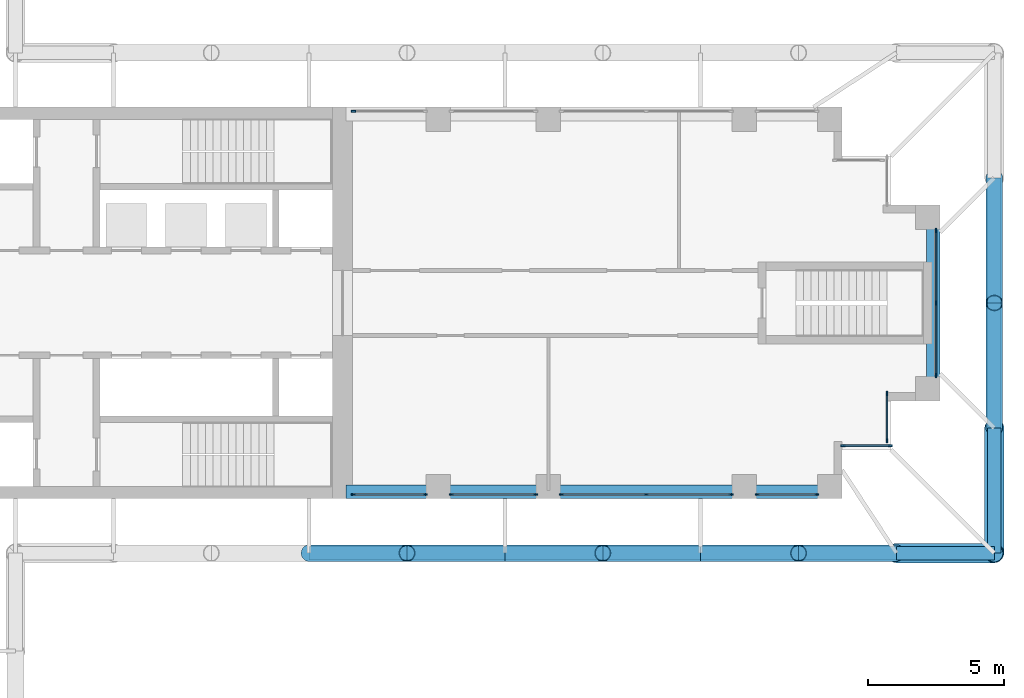
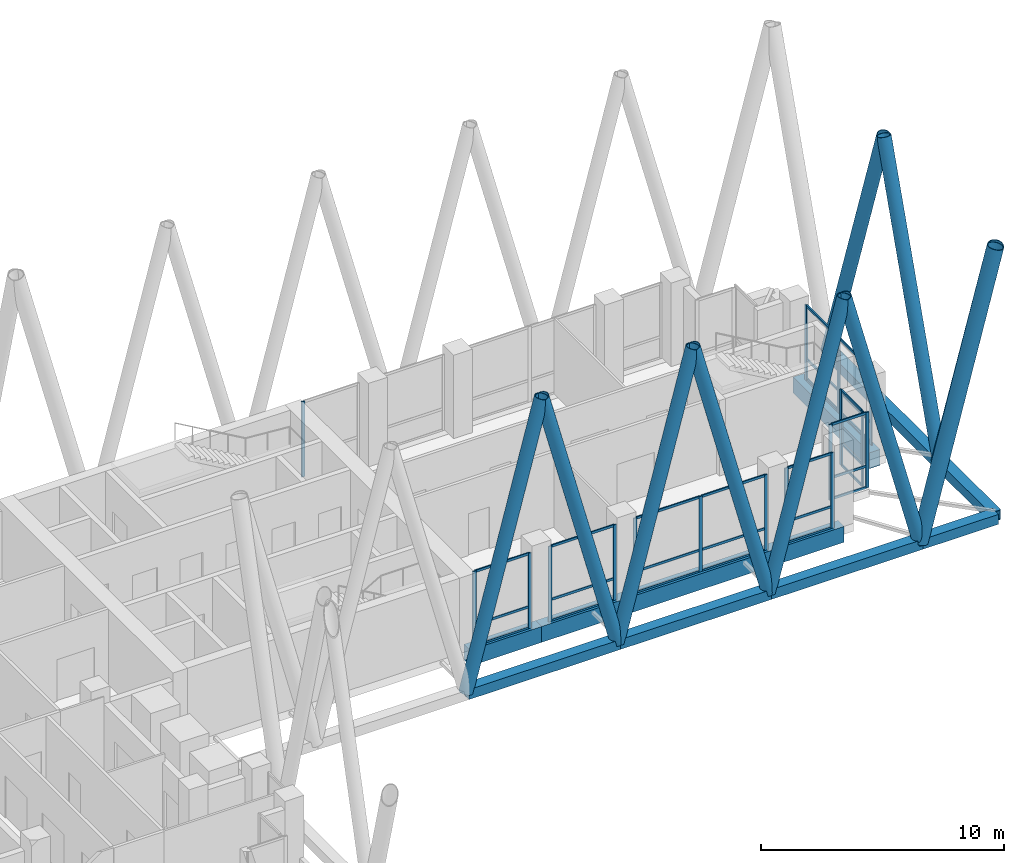
# One storey, part 8 of 22: 60 members, 5 beams, 8 elements without a shape of their own.
"""IFC4 building model written with IfcOpenShell, lengths in metres."""

import ifcopenshell
import ifcopenshell.guid

model = None  # the IFC model being written
_history = None  # IfcOwnerHistory: only IFC2X3 demands one
_inside = {}  # id of a spatial element -> (the spatial element, [elements in it])
_under = {}  # id of a project, library or spatial element -> (it, [spatial elements below it])
_declared = {}  # id of a project -> (the project, [libraries it declares])
_typed = {}  # id of a type object -> (the type object, [elements of that type])
_made_of = {}  # id of a material, layer set ... -> (it, [elements and type objects made of it])


def new_model(schema):
    """Start an empty IFC model of exactly this schema.

    Asked for "IFC4X3", IfcOpenShell would pick the latest addendum, in which some entities
    have other attributes; the version numbers below select the first issue.
    IFC2X3 requires an IfcOwnerHistory on every rooted entity: one is made here for all.
    """
    global model, _history
    if schema == "IFC4X3":
        model = ifcopenshell.file(schema_version=(4, 3, 0, 0))
    else:
        model = ifcopenshell.file(schema=schema)
    _inside.clear()
    _under.clear()
    _declared.clear()
    _typed.clear()
    _made_of.clear()
    _history = None
    if model.schema == "IFC2X3":
        org = make("IfcOrganization", Name="unknown")
        user = make(
            "IfcPersonAndOrganization",
            ThePerson=make("IfcPerson", FamilyName="unknown"),
            TheOrganization=org,
        )
        app = make(
            "IfcApplication",
            ApplicationDeveloper=org,
            Version="unknown",
            ApplicationFullName="unknown",
            ApplicationIdentifier="unknown",
        )
        _history = make(
            "IfcOwnerHistory",
            OwningUser=user,
            OwningApplication=app,
            ChangeAction="ADDED",
            CreationDate=0,
        )
    return model


def make(cls, **values):
    """One entity of the class cls with the attributes given. An attribute that is None is left unset."""
    return model.create_entity(
        cls, **{name: value for name, value in values.items() if value is not None}
    )


def rooted(cls, **values):
    """An entity with a GlobalId (a new one), such as an element, a storey or a relation."""
    return make(cls, GlobalId=ifcopenshell.guid.new(), OwnerHistory=_history, **values)


def si_unit(unit_type, name, prefix=None):
    """IfcSIUnit, for example si_unit("LENGTHUNIT", "METRE", prefix="MILLI")."""
    return make("IfcSIUnit", UnitType=unit_type, Prefix=prefix, Name=name)


def assignment(units):
    """IfcUnitAssignment: the units of a project."""
    return None if units is None else make("IfcUnitAssignment", Units=units)


def point(xyz):
    """IfcCartesianPoint."""
    return None if xyz is None else make("IfcCartesianPoint", Coordinates=xyz)


def direction(xyz):
    """IfcDirection."""
    return None if xyz is None else make("IfcDirection", DirectionRatios=xyz)


def frame(location, z_axis=None, x_axis=None):
    """IfcAxis2Placement3D, a coordinate frame: its origin and axes. An axis left out is left unset."""
    return make(
        "IfcAxis2Placement3D",
        Location=point(location),
        Axis=direction(z_axis),
        RefDirection=direction(x_axis),
    )


def frame_2d(location, x_axis=None):
    """IfcAxis2Placement2D, a coordinate frame in the plane: its origin and x axis."""
    return make(
        "IfcAxis2Placement2D", Location=point(location), RefDirection=direction(x_axis)
    )


def origin():
    """The frame at (0, 0, 0) with its axes left unset."""
    return frame((0.0, 0.0, 0.0))


def origin_2d():
    """The frame at (0, 0) in the plane with its x axis left unset."""
    return frame_2d((0.0, 0.0))


def place(relative_to, where):
    """IfcLocalPlacement: puts the frame where relative to a parent placement (None: the world)."""
    return make(
        "IfcLocalPlacement", PlacementRelTo=relative_to, RelativePlacement=where
    )


def context(
    kind, dimensions, precision=None, world=None, true_north=None, identifier=None
):
    """IfcGeometricRepresentationContext, for example the 3D "Model" context."""
    return make(
        "IfcGeometricRepresentationContext",
        ContextIdentifier=identifier,
        ContextType=kind,
        CoordinateSpaceDimension=dimensions,
        Precision=precision,
        WorldCoordinateSystem=world,
        TrueNorth=true_north,
    )


def subcontext(parent, identifier, kind, view, scale=None):
    """IfcGeometricRepresentationSubContext, for example "Body" below "Model"."""
    return make(
        "IfcGeometricRepresentationSubContext",
        ContextIdentifier=identifier,
        ContextType=kind,
        ParentContext=parent,
        TargetScale=scale,
        TargetView=view,
    )


def project(units=None, contexts=None):
    """IfcProject with its units and contexts."""
    return rooted(
        "IfcProject",
        Name="project",
        RepresentationContexts=contexts,
        UnitsInContext=assignment(units),
    )


def spatial(cls, under=None, at=None, **own):
    """A site, building, storey or space (cls), placed at a placement, below another one or the project."""
    s = rooted(cls, ObjectPlacement=at, **own)
    if under is not None:
        _under.setdefault(under.id(), (under, []))[1].append(s)
    return s


def profile(cls, at=None, kind="AREA", **sizes):
    """A parametric profile (cls). Its sizes go by their IFC names, for example OverallWidth=200.0."""
    return make(cls, ProfileType=kind, Position=at, **sizes)


def rectangle(**sizes):
    """IfcRectangleProfileDef."""
    return profile("IfcRectangleProfileDef", **sizes)


def hollow_rectangle(**sizes):
    """IfcRectangleHollowProfileDef."""
    return profile("IfcRectangleHollowProfileDef", **sizes)


def hollow_circle(**sizes):
    """IfcCircleHollowProfileDef."""
    return profile("IfcCircleHollowProfileDef", **sizes)


def extrude(swept, where, along, depth):
    """IfcExtrudedAreaSolid: the profile swept, set in the frame where, extruded along a direction by depth."""
    return make(
        "IfcExtrudedAreaSolid",
        SweptArea=swept,
        Position=where,
        ExtrudedDirection=direction(along),
        Depth=depth,
    )


def shape(context_of_items, identifier, shape_type, items):
    """IfcShapeRepresentation: the items that make up one representation, for example the "Body"."""
    return make(
        "IfcShapeRepresentation",
        ContextOfItems=context_of_items,
        RepresentationIdentifier=identifier,
        RepresentationType=shape_type,
        Items=items,
    )


def material(Name=None, Category=None):
    """IfcMaterial."""
    return make("IfcMaterial", Name=Name, Category=Category)


def material_profile(
    of_material, cross_section, Name=None, Category=None, Priority=None
):
    """IfcMaterialProfile: a cross section and its material."""
    return make(
        "IfcMaterialProfile",
        Name=Name,
        Material=of_material,
        Profile=cross_section,
        Priority=Priority,
        Category=Category,
    )


def profile_set(profiles, Name=None, composite=None):
    """IfcMaterialProfileSet."""
    return make(
        "IfcMaterialProfileSet",
        Name=Name,
        MaterialProfiles=profiles,
        CompositeProfile=composite,
    )


def made_of(thing, what):
    """Note that an element or type object is made of a material, layer set ...; save() writes the relation."""
    if what is not None:
        _made_of.setdefault(what.id(), (what, []))[1].append(thing)
    return thing


def type_object(cls, material=None, **own):
    """A type object (cls), such as IfcWallType, which elements share."""
    return made_of(rooted(cls, **own), material)


def element(
    cls,
    number,
    at=None,
    inside=None,
    cuts=None,
    type_object=None,
    material=None,
    context=None,
    identifier="Body",
    shape_type=None,
    held_by="IfcProductDefinitionShape",
    body=None,
    shapes=None,
    **own,
):
    """One element of the class cls, such as IfcWall. Its Tag is "e" and its number.

    at: its placement. inside: the storey or other place that contains it. cuts: it is an
    opening in that element (IfcRelVoidsElement). A single representation is given by context,
    identifier, shape_type and body (its items); several are given by shapes. held_by: the class
    of the entity that holds the representations. save() writes the other relations.
    """
    e = rooted(cls, Tag="e%d" % number, ObjectPlacement=at, **own)
    if body is not None:
        shapes = [shape(context, identifier, shape_type, body)]
    if shapes is not None:
        e.Representation = make(held_by, Representations=shapes)
    if inside is not None:
        _inside.setdefault(inside.id(), (inside, []))[1].append(e)
    if cuts is not None:
        rooted(
            "IfcRelVoidsElement", RelatingBuildingElement=cuts, RelatedOpeningElement=e
        )
    if type_object is not None:
        _typed.setdefault(type_object.id(), (type_object, []))[1].append(e)
    return made_of(e, material)


def aggregate(whole, parts):
    """IfcRelAggregates: a whole, such as a stair, and the parts it consists of."""
    return rooted("IfcRelAggregates", RelatingObject=whole, RelatedObjects=parts)


def save(model, path):
    """Write the relations noted so far, then the file.

    IfcRelAggregates (storeys below a building ...), IfcRelContainedInSpatialStructure (elements
    in a storey), IfcRelDefinesByType, IfcRelAssociatesMaterial and IfcRelDeclares: one each for
    every whole, place, type object, material and project.
    """
    for whole, parts in _under.values():
        aggregate(whole, parts)
    for where, things in _inside.values():
        rooted(
            "IfcRelContainedInSpatialStructure",
            RelatedElements=things,
            RelatingStructure=where,
        )
    for kind, things in _typed.values():
        rooted("IfcRelDefinesByType", RelatedObjects=things, RelatingType=kind)
    for what, things in _made_of.values():
        rooted("IfcRelAssociatesMaterial", RelatedObjects=things, RelatingMaterial=what)
    for by, libraries in _declared.values():
        rooted("IfcRelDeclares", RelatingContext=by, RelatedDefinitions=libraries)
    model.write(path)


model = new_model("IFC4")

# Units and contexts
model_context = context("Model", 3, precision=1e-05, world=origin(), true_north=direction((0.0, 1.0)))
body_context = subcontext(model_context, "Body", "Model", "MODEL_VIEW")
ifc_project = project(units=[si_unit("LENGTHUNIT", "METRE"), si_unit("AREAUNIT", "SQUARE_METRE"), si_unit("VOLUMEUNIT", "CUBIC_METRE"), si_unit("PLANEANGLEUNIT", "RADIAN"), si_unit("MASSUNIT", "GRAM", prefix="KILO")], contexts=[model_context])

# Site, building, storey
site_placement = place(None, origin())
site = spatial("IfcSite", under=ifc_project, at=site_placement, CompositionType="ELEMENT")
building_placement = place(site_placement, origin())
building = spatial("IfcBuilding", under=site, at=building_placement, Name="Fustian Cross Tower", CompositionType="ELEMENT")
storey_placement = place(building_placement, frame((0.0, 0.0, 116.10009765625)))
storey = spatial("IfcBuildingStorey", under=building, at=storey_placement, Name="L36", CompositionType="ELEMENT", Elevation=116.10009765625)

# Curtain wall, members
ifc_material_1 = material(Name="Dark anodised aluminium and double glazing", Category="aluminium")
curtain_wall_type = type_object("IfcCurtainWallType", Name="CW1 LOUNGE CURTAIN WALL", PredefinedType="NOTDEFINED", material=ifc_material_1)
curtain_wall_1_placement = place(storey_placement, origin())
curtain_wall_1 = element("IfcCurtainWall", 1, at=curtain_wall_1_placement, inside=storey, type_object=curtain_wall_type, Name="Curtain wall", PredefinedType="NOTDEFINED")
ifc_material_2 = material(Name="Aluminium alloy 6063", Category="aluminium")
ifc_material_profile_1 = material_profile(ifc_material_2, rectangle(XDim=0.06005859375, YDim=0.159912109375, at=origin_2d()), Name="CW1 MULLION 60X160")
ifc_profile_set_1 = profile_set([ifc_material_profile_1], Name="Aluminium alloy 6063")
member_type_1 = type_object("IfcMemberType", Name="CW1 MULLION 60X160", PredefinedType="MULLION", material=ifc_profile_set_1)
member_1_placement = place(storey_placement, frame((21.6298828125, -7.050048828125, 0.0), z_axis=(0.0, 0.0, 1.0), x_axis=(0.0, 1.0, 0.0)))
member_1 = element("IfcMember", 2, at=member_1_placement, type_object=member_type_1, Name="CW1 mullion 1", PredefinedType="MULLION", context=body_context, shape_type="SweptSolid", body=[
    extrude(rectangle(XDim=0.06005859375, YDim=0.159912109375, at=origin_2d()), origin(), (0.0, 0.0, 1.0), 3.7998046875),
])
member_2_placement = place(storey_placement, frame((24.27001953125, -7.050048828125, 0.0), z_axis=(0.0, 0.0, 1.0), x_axis=(0.0, 1.0, 0.0)))
member_2 = element("IfcMember", 3, at=member_2_placement, type_object=member_type_1, Name="CW1 mullion 2", PredefinedType="MULLION", context=body_context, shape_type="SweptSolid", body=[
    extrude(rectangle(XDim=0.06005859375, YDim=0.159912109375, at=origin_2d()), origin(), (0.0, 0.0, 1.0), 3.7998046875),
])

curtain_wall_2_placement = place(storey_placement, origin())
curtain_wall_2 = element("IfcCurtainWall", 4, at=curtain_wall_2_placement, inside=storey, type_object=curtain_wall_type, Name="Curtain wall", PredefinedType="NOTDEFINED")
member_3_placement = place(storey_placement, frame((25.22998046875, -7.050048828125, 0.0), z_axis=(0.0, 0.0, 1.0), x_axis=(0.0, 1.0, 0.0)))
member_3 = element("IfcMember", 5, at=member_3_placement, type_object=member_type_1, Name="CW1 mullion 1", PredefinedType="MULLION", context=body_context, shape_type="SweptSolid", body=[
    extrude(rectangle(XDim=0.06005859375, YDim=0.159912109375, at=origin_2d()), origin(), (0.0, 0.0, 1.0), 3.7998046875),
])
member_4_placement = place(storey_placement, frame((28.320068359375, -7.050048828125, 0.0), z_axis=(0.0, 0.0, 1.0), x_axis=(0.0, 1.0, 0.0)))
member_4 = element("IfcMember", 6, at=member_4_placement, type_object=member_type_1, Name="CW1 mullion 2", PredefinedType="MULLION", context=body_context, shape_type="SweptSolid", body=[
    extrude(rectangle(XDim=0.06005859375, YDim=0.159912109375, at=origin_2d()), origin(), (0.0, 0.0, 1.0), 3.7998046875),
])

curtain_wall_3_placement = place(storey_placement, origin())
curtain_wall_3 = element("IfcCurtainWall", 7, at=curtain_wall_3_placement, inside=storey, type_object=curtain_wall_type, Name="Curtain wall", PredefinedType="NOTDEFINED")
member_5_placement = place(storey_placement, frame((29.280029296875, -7.050048828125, 0.0), z_axis=(0.0, 0.0, 1.0), x_axis=(0.0, 1.0, 0.0)))
member_5 = element("IfcMember", 8, at=member_5_placement, type_object=member_type_1, Name="CW1 mullion 1", PredefinedType="MULLION", context=body_context, shape_type="SweptSolid", body=[
    extrude(rectangle(XDim=0.06005859375, YDim=0.159912109375, at=origin_2d()), origin(), (0.0, 0.0, 1.0), 3.7998046875),
])
member_6_placement = place(storey_placement, frame((32.39990234375, -7.050048828125, 0.0), z_axis=(0.0, 0.0, 1.0), x_axis=(0.0, 1.0, 0.0)))
member_6 = element("IfcMember", 9, at=member_6_placement, type_object=member_type_1, Name="CW1 mullion 2", PredefinedType="MULLION", context=body_context, shape_type="SweptSolid", body=[
    extrude(rectangle(XDim=0.06005859375, YDim=0.159912109375, at=origin_2d()), origin(), (0.0, 0.0, 1.0), 3.7998046875),
])
member_7_placement = place(storey_placement, frame((35.52001953125, -7.050048828125, 0.0), z_axis=(0.0, 0.0, 1.0), x_axis=(0.0, 1.0, 0.0)))
member_7 = element("IfcMember", 10, at=member_7_placement, type_object=member_type_1, Name="CW1 mullion 3", PredefinedType="MULLION", context=body_context, shape_type="SweptSolid", body=[
    extrude(rectangle(XDim=0.06005859375, YDim=0.159912109375, at=origin_2d()), origin(), (0.0, 0.0, 1.0), 3.7998046875),
])

curtain_wall_4_placement = place(storey_placement, origin())
curtain_wall_4 = element("IfcCurtainWall", 11, at=curtain_wall_4_placement, inside=storey, type_object=curtain_wall_type, Name="Curtain wall", PredefinedType="NOTDEFINED")
member_8_placement = place(storey_placement, frame((36.47998046875, -7.050048828125, 0.0), z_axis=(0.0, 0.0, 1.0), x_axis=(0.0, 1.0, 0.0)))
member_8 = element("IfcMember", 12, at=member_8_placement, type_object=member_type_1, Name="CW1 mullion 1", PredefinedType="MULLION", context=body_context, shape_type="SweptSolid", body=[
    extrude(rectangle(XDim=0.06005859375, YDim=0.159912109375, at=origin_2d()), origin(), (0.0, 0.0, 1.0), 3.7998046875),
])
member_9_placement = place(storey_placement, frame((38.669921875, -7.050048828125, 0.0), z_axis=(0.0, 0.0, 1.0), x_axis=(0.0, 1.0, 0.0)))
member_9 = element("IfcMember", 13, at=member_9_placement, type_object=member_type_1, Name="CW1 mullion 2", PredefinedType="MULLION", context=body_context, shape_type="SweptSolid", body=[
    extrude(rectangle(XDim=0.06005859375, YDim=0.159912109375, at=origin_2d()), origin(), (0.0, 0.0, 1.0), 3.7998046875),
])

curtain_wall_5_placement = place(storey_placement, origin())
curtain_wall_5 = element("IfcCurtainWall", 14, at=curtain_wall_5_placement, inside=storey, type_object=curtain_wall_type, Name="Curtain wall", PredefinedType="NOTDEFINED")
member_10_placement = place(storey_placement, frame((39.6298828125, -5.25, 0.0), z_axis=(0.0, 0.0, 1.0), x_axis=(0.0, 1.0, 0.0)))
member_10 = element("IfcMember", 15, at=member_10_placement, type_object=member_type_1, Name="CW1 mullion 1", PredefinedType="MULLION", context=body_context, shape_type="SweptSolid", body=[
    extrude(rectangle(XDim=0.06005859375, YDim=0.159912109375, at=origin_2d()), origin(), (0.0, 0.0, 1.0), 3.7998046875),
])
member_11_placement = place(storey_placement, frame((41.3701171875, -5.25, 0.0), z_axis=(0.0, 0.0, 1.0), x_axis=(0.0, 1.0, 0.0)))
member_11 = element("IfcMember", 16, at=member_11_placement, type_object=member_type_1, Name="CW1 mullion 2", PredefinedType="MULLION", context=body_context, shape_type="SweptSolid", body=[
    extrude(rectangle(XDim=0.06005859375, YDim=0.159912109375, at=origin_2d()), origin(), (0.0, 0.0, 1.0), 3.7998046875),
])

curtain_wall_6_placement = place(storey_placement, origin())
curtain_wall_6 = element("IfcCurtainWall", 17, at=curtain_wall_6_placement, inside=storey, type_object=curtain_wall_type, Name="Curtain wall", PredefinedType="NOTDEFINED")
member_12_placement = place(storey_placement, frame((41.25, -5.070068359375, 0.0), z_axis=(0.0, 0.0, 1.0), x_axis=(-1.0, 0.0, 0.0)))
member_12 = element("IfcMember", 18, at=member_12_placement, type_object=member_type_1, Name="CW1 mullion 1", PredefinedType="MULLION", context=body_context, shape_type="SweptSolid", body=[
    extrude(rectangle(XDim=0.06005859375, YDim=0.159912109375, at=origin_2d()), origin(), (0.0, 0.0, 1.0), 3.7998046875),
])
member_13_placement = place(storey_placement, frame((41.25, -3.330078125, 0.0), z_axis=(0.0, 0.0, 1.0), x_axis=(-1.0, 0.0, 0.0)))
member_13 = element("IfcMember", 19, at=member_13_placement, type_object=member_type_1, Name="CW1 mullion 2", PredefinedType="MULLION", context=body_context, shape_type="SweptSolid", body=[
    extrude(rectangle(XDim=0.06005859375, YDim=0.159912109375, at=origin_2d()), origin(), (0.0, 0.0, 1.0), 3.7998046875),
])

curtain_wall_7_placement = place(storey_placement, origin())
curtain_wall_7 = element("IfcCurtainWall", 20, at=curtain_wall_7_placement, inside=storey, type_object=curtain_wall_type, Name="Curtain wall", PredefinedType="NOTDEFINED")
member_14_placement = place(storey_placement, frame((43.050048828125, -2.669921875, 0.0), z_axis=(0.0, 0.0, 1.0), x_axis=(-1.0, 0.0, 0.0)))
member_14 = element("IfcMember", 21, at=member_14_placement, type_object=member_type_1, Name="CW1 mullion 1", PredefinedType="MULLION", context=body_context, shape_type="SweptSolid", body=[
    extrude(rectangle(XDim=0.06005859375, YDim=0.159912109375, at=origin_2d()), origin(), (0.0, 0.0, 1.0), 3.7998046875),
])
member_15_placement = place(storey_placement, frame((43.050048828125, 0.0, 0.0), z_axis=(0.0, 0.0, 1.0), x_axis=(-1.0, 0.0, 0.0)))
member_15 = element("IfcMember", 22, at=member_15_placement, type_object=member_type_1, Name="CW1 mullion 2", PredefinedType="MULLION", context=body_context, shape_type="SweptSolid", body=[
    extrude(rectangle(XDim=0.06005859375, YDim=0.159912109375, at=origin_2d()), origin(), (0.0, 0.0, 1.0), 3.7998046875),
])
member_16_placement = place(storey_placement, frame((43.050048828125, 2.669921875, 0.0), z_axis=(0.0, 0.0, 1.0), x_axis=(-1.0, 0.0, 0.0)))
member_16 = element("IfcMember", 23, at=member_16_placement, type_object=member_type_1, Name="CW1 mullion 3", PredefinedType="MULLION", context=body_context, shape_type="SweptSolid", body=[
    extrude(rectangle(XDim=0.06005859375, YDim=0.159912109375, at=origin_2d()), origin(), (0.0, 0.0, 1.0), 3.7998046875),
])

# Curtain wall, member
curtain_wall_8_placement = place(storey_placement, origin())
curtain_wall_8 = element("IfcCurtainWall", 24, at=curtain_wall_8_placement, inside=storey, type_object=curtain_wall_type, Name="Curtain wall", PredefinedType="NOTDEFINED")
member_17_placement = place(storey_placement, frame((21.6298828125, 7.050048828125, 0.0), z_axis=(0.0, 0.0, 1.0), x_axis=(0.0, -1.0, 0.0)))
member_17 = element("IfcMember", 25, at=member_17_placement, type_object=member_type_1, Name="CW1 mullion 2", PredefinedType="MULLION", context=body_context, shape_type="SweptSolid", body=[
    extrude(rectangle(XDim=0.06005859375, YDim=0.159912109375, at=origin_2d()), origin(), (0.0, 0.0, 1.0), 3.7998046875),
])
aggregate(curtain_wall_8, [member_17])

# Member
ifc_material_3 = material(Name="Aluminium alloy 6063", Category="aluminium")
ifc_material_profile_2 = material_profile(ifc_material_3, rectangle(XDim=0.06005859375, YDim=0.1201171875, at=origin_2d()), Name="CW1 TRANSOM 60X120")
ifc_profile_set_2 = profile_set([ifc_material_profile_2], Name="Aluminium alloy 6063")
member_type_2 = type_object("IfcMemberType", Name="CW1 TRANSOM 60X120", PredefinedType="USERDEFINED", material=ifc_profile_set_2)
member_18_placement = place(storey_placement, frame((21.659912109375, -7.050048828125, 0.02978515625), z_axis=(1.0, 0.0, 0.0), x_axis=(0.0, 1.0, 0.0)))
member_18 = element("IfcMember", 26, at=member_18_placement, type_object=member_type_2, Name="CW1 transom 1.1", ObjectType="TRANSOM", PredefinedType="USERDEFINED", context=body_context, shape_type="SweptSolid", body=[
    extrude(rectangle(XDim=0.06005859375, YDim=0.1201171875, at=origin_2d()), origin(), (0.0, 0.0, 1.0), 2.580078125),
])

member_19_placement = place(storey_placement, frame((21.659912109375, -7.050048828125, 1.099853515625), z_axis=(1.0, 0.0, 0.0), x_axis=(0.0, 1.0, 0.0)))
member_19 = element("IfcMember", 27, at=member_19_placement, type_object=member_type_2, Name="CW1 transom 1.2", ObjectType="TRANSOM", PredefinedType="USERDEFINED", context=body_context, shape_type="SweptSolid", body=[
    extrude(rectangle(XDim=0.06005859375, YDim=0.1201171875, at=origin_2d()), origin(), (0.0, 0.0, 1.0), 2.580078125),
])

member_20_placement = place(storey_placement, frame((21.659912109375, -7.050048828125, 3.77001953125), z_axis=(1.0, 0.0, 0.0), x_axis=(0.0, 1.0, 0.0)))
member_20 = element("IfcMember", 28, at=member_20_placement, type_object=member_type_2, Name="CW1 transom 1.3", ObjectType="TRANSOM", PredefinedType="USERDEFINED", context=body_context, shape_type="SweptSolid", body=[
    extrude(rectangle(XDim=0.06005859375, YDim=0.1201171875, at=origin_2d()), origin(), (0.0, 0.0, 1.0), 2.580078125),
])

aggregate(curtain_wall_1, [member_1, member_2, member_18, member_19, member_20])

member_21_placement = place(storey_placement, frame((25.260009765625, -7.050048828125, 0.02978515625), z_axis=(1.0, 0.0, 0.0), x_axis=(0.0, 1.0, 0.0)))
member_21 = element("IfcMember", 29, at=member_21_placement, type_object=member_type_2, Name="CW1 transom 1.1", ObjectType="TRANSOM", PredefinedType="USERDEFINED", context=body_context, shape_type="SweptSolid", body=[
    extrude(rectangle(XDim=0.06005859375, YDim=0.1201171875, at=origin_2d()), origin(), (0.0, 0.0, 1.0), 3.030029296875),
])

member_22_placement = place(storey_placement, frame((25.260009765625, -7.050048828125, 1.099853515625), z_axis=(1.0, 0.0, 0.0), x_axis=(0.0, 1.0, 0.0)))
member_22 = element("IfcMember", 30, at=member_22_placement, type_object=member_type_2, Name="CW1 transom 1.2", ObjectType="TRANSOM", PredefinedType="USERDEFINED", context=body_context, shape_type="SweptSolid", body=[
    extrude(rectangle(XDim=0.06005859375, YDim=0.1201171875, at=origin_2d()), origin(), (0.0, 0.0, 1.0), 3.030029296875),
])

member_23_placement = place(storey_placement, frame((25.260009765625, -7.050048828125, 3.77001953125), z_axis=(1.0, 0.0, 0.0), x_axis=(0.0, 1.0, 0.0)))
member_23 = element("IfcMember", 31, at=member_23_placement, type_object=member_type_2, Name="CW1 transom 1.3", ObjectType="TRANSOM", PredefinedType="USERDEFINED", context=body_context, shape_type="SweptSolid", body=[
    extrude(rectangle(XDim=0.06005859375, YDim=0.1201171875, at=origin_2d()), origin(), (0.0, 0.0, 1.0), 3.030029296875),
])

aggregate(curtain_wall_2, [member_3, member_4, member_21, member_22, member_23])

member_24_placement = place(storey_placement, frame((29.31005859375, -7.050048828125, 0.02978515625), z_axis=(1.0, 0.0, 0.0), x_axis=(0.0, 1.0, 0.0)))
member_24 = element("IfcMember", 32, at=member_24_placement, type_object=member_type_2, Name="CW1 transom 1.1", ObjectType="TRANSOM", PredefinedType="USERDEFINED", context=body_context, shape_type="SweptSolid", body=[
    extrude(rectangle(XDim=0.06005859375, YDim=0.1201171875, at=origin_2d()), origin(), (0.0, 0.0, 1.0), 3.06005859375),
])

member_25_placement = place(storey_placement, frame((29.31005859375, -7.050048828125, 1.099853515625), z_axis=(1.0, 0.0, 0.0), x_axis=(0.0, 1.0, 0.0)))
member_25 = element("IfcMember", 33, at=member_25_placement, type_object=member_type_2, Name="CW1 transom 1.2", ObjectType="TRANSOM", PredefinedType="USERDEFINED", context=body_context, shape_type="SweptSolid", body=[
    extrude(rectangle(XDim=0.06005859375, YDim=0.1201171875, at=origin_2d()), origin(), (0.0, 0.0, 1.0), 3.06005859375),
])

member_26_placement = place(storey_placement, frame((29.31005859375, -7.050048828125, 3.77001953125), z_axis=(1.0, 0.0, 0.0), x_axis=(0.0, 1.0, 0.0)))
member_26 = element("IfcMember", 34, at=member_26_placement, type_object=member_type_2, Name="CW1 transom 1.3", ObjectType="TRANSOM", PredefinedType="USERDEFINED", context=body_context, shape_type="SweptSolid", body=[
    extrude(rectangle(XDim=0.06005859375, YDim=0.1201171875, at=origin_2d()), origin(), (0.0, 0.0, 1.0), 3.06005859375),
])

member_27_placement = place(storey_placement, frame((32.429931640625, -7.050048828125, 0.02978515625), z_axis=(1.0, 0.0, 0.0), x_axis=(0.0, 1.0, 0.0)))
member_27 = element("IfcMember", 35, at=member_27_placement, type_object=member_type_2, Name="CW1 transom 2.1", ObjectType="TRANSOM", PredefinedType="USERDEFINED", context=body_context, shape_type="SweptSolid", body=[
    extrude(rectangle(XDim=0.06005859375, YDim=0.1201171875, at=origin_2d()), origin(), (0.0, 0.0, 1.0), 3.06005859375),
])

member_28_placement = place(storey_placement, frame((32.429931640625, -7.050048828125, 1.099853515625), z_axis=(1.0, 0.0, 0.0), x_axis=(0.0, 1.0, 0.0)))
member_28 = element("IfcMember", 36, at=member_28_placement, type_object=member_type_2, Name="CW1 transom 2.2", ObjectType="TRANSOM", PredefinedType="USERDEFINED", context=body_context, shape_type="SweptSolid", body=[
    extrude(rectangle(XDim=0.06005859375, YDim=0.1201171875, at=origin_2d()), origin(), (0.0, 0.0, 1.0), 3.06005859375),
])

member_29_placement = place(storey_placement, frame((32.429931640625, -7.050048828125, 3.77001953125), z_axis=(1.0, 0.0, 0.0), x_axis=(0.0, 1.0, 0.0)))
member_29 = element("IfcMember", 37, at=member_29_placement, type_object=member_type_2, Name="CW1 transom 2.3", ObjectType="TRANSOM", PredefinedType="USERDEFINED", context=body_context, shape_type="SweptSolid", body=[
    extrude(rectangle(XDim=0.06005859375, YDim=0.1201171875, at=origin_2d()), origin(), (0.0, 0.0, 1.0), 3.06005859375),
])

aggregate(curtain_wall_3, [member_5, member_6, member_7, member_24, member_25, member_26, member_27, member_28, member_29])

member_30_placement = place(storey_placement, frame((36.510009765625, -7.050048828125, 0.02978515625), z_axis=(1.0, 0.0, 0.0), x_axis=(0.0, 1.0, 0.0)))
member_30 = element("IfcMember", 38, at=member_30_placement, type_object=member_type_2, Name="CW1 transom 1.1", ObjectType="TRANSOM", PredefinedType="USERDEFINED", context=body_context, shape_type="SweptSolid", body=[
    extrude(rectangle(XDim=0.06005859375, YDim=0.1201171875, at=origin_2d()), origin(), (0.0, 0.0, 1.0), 2.1298828125),
])

member_31_placement = place(storey_placement, frame((36.510009765625, -7.050048828125, 1.099853515625), z_axis=(1.0, 0.0, 0.0), x_axis=(0.0, 1.0, 0.0)))
member_31 = element("IfcMember", 39, at=member_31_placement, type_object=member_type_2, Name="CW1 transom 1.2", ObjectType="TRANSOM", PredefinedType="USERDEFINED", context=body_context, shape_type="SweptSolid", body=[
    extrude(rectangle(XDim=0.06005859375, YDim=0.1201171875, at=origin_2d()), origin(), (0.0, 0.0, 1.0), 2.1298828125),
])

member_32_placement = place(storey_placement, frame((36.510009765625, -7.050048828125, 3.77001953125), z_axis=(1.0, 0.0, 0.0), x_axis=(0.0, 1.0, 0.0)))
member_32 = element("IfcMember", 40, at=member_32_placement, type_object=member_type_2, Name="CW1 transom 1.3", ObjectType="TRANSOM", PredefinedType="USERDEFINED", context=body_context, shape_type="SweptSolid", body=[
    extrude(rectangle(XDim=0.06005859375, YDim=0.1201171875, at=origin_2d()), origin(), (0.0, 0.0, 1.0), 2.1298828125),
])

aggregate(curtain_wall_4, [member_8, member_9, member_30, member_31, member_32])

member_33_placement = place(storey_placement, frame((39.659912109375, -5.25, 0.02978515625), z_axis=(1.0, 0.0, 0.0), x_axis=(0.0, 1.0, 0.0)))
member_33 = element("IfcMember", 41, at=member_33_placement, type_object=member_type_2, Name="CW1 transom 1.1", ObjectType="TRANSOM", PredefinedType="USERDEFINED", context=body_context, shape_type="SweptSolid", body=[
    extrude(rectangle(XDim=0.06005859375, YDim=0.1201171875, at=origin_2d()), origin(), (0.0, 0.0, 1.0), 1.68017578125),
])

member_34_placement = place(storey_placement, frame((39.659912109375, -5.25, 1.099853515625), z_axis=(1.0, 0.0, 0.0), x_axis=(0.0, 1.0, 0.0)))
member_34 = element("IfcMember", 42, at=member_34_placement, type_object=member_type_2, Name="CW1 transom 1.2", ObjectType="TRANSOM", PredefinedType="USERDEFINED", context=body_context, shape_type="SweptSolid", body=[
    extrude(rectangle(XDim=0.06005859375, YDim=0.1201171875, at=origin_2d()), origin(), (0.0, 0.0, 1.0), 1.68017578125),
])

member_35_placement = place(storey_placement, frame((39.659912109375, -5.25, 3.77001953125), z_axis=(1.0, 0.0, 0.0), x_axis=(0.0, 1.0, 0.0)))
member_35 = element("IfcMember", 43, at=member_35_placement, type_object=member_type_2, Name="CW1 transom 1.3", ObjectType="TRANSOM", PredefinedType="USERDEFINED", context=body_context, shape_type="SweptSolid", body=[
    extrude(rectangle(XDim=0.06005859375, YDim=0.1201171875, at=origin_2d()), origin(), (0.0, 0.0, 1.0), 1.68017578125),
])

aggregate(curtain_wall_5, [member_10, member_11, member_33, member_34, member_35])

member_36_placement = place(storey_placement, frame((41.25, -5.0400390625, 0.02978515625), z_axis=(0.0, 1.0, 0.0), x_axis=(-1.0, 0.0, 0.0)))
member_36 = element("IfcMember", 44, at=member_36_placement, type_object=member_type_2, Name="CW1 transom 1.1", ObjectType="TRANSOM", PredefinedType="USERDEFINED", context=body_context, shape_type="SweptSolid", body=[
    extrude(rectangle(XDim=0.06005859375, YDim=0.1201171875, at=origin_2d()), origin(), (0.0, 0.0, 1.0), 1.679931640625),
])

member_37_placement = place(storey_placement, frame((41.25, -5.0400390625, 1.099853515625), z_axis=(0.0, 1.0, 0.0), x_axis=(-1.0, 0.0, 0.0)))
member_37 = element("IfcMember", 45, at=member_37_placement, type_object=member_type_2, Name="CW1 transom 1.2", ObjectType="TRANSOM", PredefinedType="USERDEFINED", context=body_context, shape_type="SweptSolid", body=[
    extrude(rectangle(XDim=0.06005859375, YDim=0.1201171875, at=origin_2d()), origin(), (0.0, 0.0, 1.0), 1.679931640625),
])

member_38_placement = place(storey_placement, frame((41.25, -5.0400390625, 3.77001953125), z_axis=(0.0, 1.0, 0.0), x_axis=(-1.0, 0.0, 0.0)))
member_38 = element("IfcMember", 46, at=member_38_placement, type_object=member_type_2, Name="CW1 transom 1.3", ObjectType="TRANSOM", PredefinedType="USERDEFINED", context=body_context, shape_type="SweptSolid", body=[
    extrude(rectangle(XDim=0.06005859375, YDim=0.1201171875, at=origin_2d()), origin(), (0.0, 0.0, 1.0), 1.679931640625),
])

aggregate(curtain_wall_6, [member_12, member_13, member_36, member_37, member_38])

member_39_placement = place(storey_placement, frame((43.050048828125, -2.639892578125, 0.02978515625), z_axis=(0.0, 1.0, 0.0), x_axis=(-1.0, 0.0, 0.0)))
member_39 = element("IfcMember", 47, at=member_39_placement, type_object=member_type_2, Name="CW1 transom 1.1", ObjectType="TRANSOM", PredefinedType="USERDEFINED", context=body_context, shape_type="SweptSolid", body=[
    extrude(rectangle(XDim=0.06005859375, YDim=0.1201171875, at=origin_2d()), origin(), (0.0, 0.0, 1.0), 2.60986328125),
])

member_40_placement = place(storey_placement, frame((43.050048828125, -2.639892578125, 1.099853515625), z_axis=(0.0, 1.0, 0.0), x_axis=(-1.0, 0.0, 0.0)))
member_40 = element("IfcMember", 48, at=member_40_placement, type_object=member_type_2, Name="CW1 transom 1.2", ObjectType="TRANSOM", PredefinedType="USERDEFINED", context=body_context, shape_type="SweptSolid", body=[
    extrude(rectangle(XDim=0.06005859375, YDim=0.1201171875, at=origin_2d()), origin(), (0.0, 0.0, 1.0), 2.60986328125),
])

member_41_placement = place(storey_placement, frame((43.050048828125, -2.639892578125, 3.77001953125), z_axis=(0.0, 1.0, 0.0), x_axis=(-1.0, 0.0, 0.0)))
member_41 = element("IfcMember", 49, at=member_41_placement, type_object=member_type_2, Name="CW1 transom 1.3", ObjectType="TRANSOM", PredefinedType="USERDEFINED", context=body_context, shape_type="SweptSolid", body=[
    extrude(rectangle(XDim=0.06005859375, YDim=0.1201171875, at=origin_2d()), origin(), (0.0, 0.0, 1.0), 2.60986328125),
])

member_42_placement = place(storey_placement, frame((43.050048828125, 0.030029296875, 0.02978515625), z_axis=(0.0, 1.0, 0.0), x_axis=(-1.0, 0.0, 0.0)))
member_42 = element("IfcMember", 50, at=member_42_placement, type_object=member_type_2, Name="CW1 transom 2.1", ObjectType="TRANSOM", PredefinedType="USERDEFINED", context=body_context, shape_type="SweptSolid", body=[
    extrude(rectangle(XDim=0.06005859375, YDim=0.1201171875, at=origin_2d()), origin(), (0.0, 0.0, 1.0), 2.60986328125),
])

member_43_placement = place(storey_placement, frame((43.050048828125, 0.030029296875, 1.099853515625), z_axis=(0.0, 1.0, 0.0), x_axis=(-1.0, 0.0, 0.0)))
member_43 = element("IfcMember", 51, at=member_43_placement, type_object=member_type_2, Name="CW1 transom 2.2", ObjectType="TRANSOM", PredefinedType="USERDEFINED", context=body_context, shape_type="SweptSolid", body=[
    extrude(rectangle(XDim=0.06005859375, YDim=0.1201171875, at=origin_2d()), origin(), (0.0, 0.0, 1.0), 2.60986328125),
])

member_44_placement = place(storey_placement, frame((43.050048828125, 0.030029296875, 3.77001953125), z_axis=(0.0, 1.0, 0.0), x_axis=(-1.0, 0.0, 0.0)))
member_44 = element("IfcMember", 52, at=member_44_placement, type_object=member_type_2, Name="CW1 transom 2.3", ObjectType="TRANSOM", PredefinedType="USERDEFINED", context=body_context, shape_type="SweptSolid", body=[
    extrude(rectangle(XDim=0.06005859375, YDim=0.1201171875, at=origin_2d()), origin(), (0.0, 0.0, 1.0), 2.60986328125),
])

aggregate(curtain_wall_7, [member_14, member_15, member_16, member_39, member_40, member_41, member_42, member_43, member_44])

# Members
ifc_material_4 = material(Name="Steel S355", Category="steel")
ifc_material_profile_3 = material_profile(ifc_material_4, hollow_circle(Radius=0.3046875, WallThickness=0.02490234375, at=origin_2d()), Name="CHS 610x25")
ifc_profile_set_3 = profile_set([ifc_material_profile_3], Name="Steel S355")
member_type_3 = type_object("IfcMemberType", Name="DIAGRID DIAGONAL CHS 610x25", PredefinedType="BRACE", material=ifc_profile_set_3)
member_45_placement = place(storey_placement, frame((20.0, -9.199951171875, -0.400146484375), z_axis=(0.255897330119, 0.0, 0.966703965254), x_axis=(0.0, 1.0, 0.0)))
element("IfcMember", 53, at=member_45_placement, inside=storey, type_object=member_type_3, Name="Diagrid diagonal E-S 04", PredefinedType="BRACE", context=body_context, shape_type="SweptSolid", body=[
    extrude(hollow_circle(Radius=0.3046875, WallThickness=0.02490234375, at=origin_2d()), origin(), (0.0, 0.0, 1.0), 14.068603515625),
])
member_46_placement = place(storey_placement, frame((27.199951171875, -9.199951171875, -0.400146484375), z_axis=(-0.255881112712, 0.0, 0.966708258037), x_axis=(0.0, -1.0, 0.0)))
element("IfcMember", 54, at=member_46_placement, inside=storey, type_object=member_type_3, Name="Diagrid diagonal E-S 05", PredefinedType="BRACE", context=body_context, shape_type="SweptSolid", body=[
    extrude(hollow_circle(Radius=0.3046875, WallThickness=0.02490234375, at=origin_2d()), origin(), (0.0, 0.0, 1.0), 14.068359375),
])
member_47_placement = place(storey_placement, frame((27.199951171875, -9.199951171875, -0.400146484375), z_axis=(0.255897330119, 0.0, 0.966703965254), x_axis=(0.0, 1.0, 0.0)))
element("IfcMember", 55, at=member_47_placement, inside=storey, type_object=member_type_3, Name="Diagrid diagonal E-S 06", PredefinedType="BRACE", context=body_context, shape_type="SweptSolid", body=[
    extrude(hollow_circle(Radius=0.3046875, WallThickness=0.02490234375, at=origin_2d()), origin(), (0.0, 0.0, 1.0), 14.068603515625),
])
member_48_placement = place(storey_placement, frame((34.39990234375, -9.199951171875, -0.400146484375), z_axis=(-0.255881112712, 0.0, 0.966708258037), x_axis=(0.0, -1.0, 0.0)))
element("IfcMember", 56, at=member_48_placement, inside=storey, type_object=member_type_3, Name="Diagrid diagonal E-S 07", PredefinedType="BRACE", context=body_context, shape_type="SweptSolid", body=[
    extrude(hollow_circle(Radius=0.3046875, WallThickness=0.02490234375, at=origin_2d()), origin(), (0.0, 0.0, 1.0), 14.068359375),
])
for number, where, z_axis, x_axis, name in (
    (57, (34.39990234375, -9.199951171875, -0.400146484375), (0.255897330119, 0.0, 0.966703965254), (0.0, 1.0, 0.0), "Diagrid diagonal E-S 08"),
    (58, (41.60009765625, -9.199951171875, -0.400146484375), (-0.255897330119, 0.0, 0.966703965254), (0.0, -1.0, 0.0), "Diagrid diagonal E-S 09"),
):
    element("IfcMember", number, at=place(storey_placement, frame(where, z_axis=z_axis, x_axis=x_axis)), inside=storey, type_object=member_type_3, Name=name, PredefinedType="BRACE", context=body_context, shape_type="SweptSolid", body=[
        extrude(hollow_circle(Radius=0.3046875, WallThickness=0.02490234375, at=origin_2d()), origin(), (0.0, 0.0, 1.0), 14.068603515625),
    ])
for number, where, z_axis, x_axis, name in (
    (59, (45.199951171875, -4.60009765625, -0.400146484375), (0.0, 0.32040791786, 0.947279666293), (-1.0, 0.0, 0.0), "Diagrid diagonal E-end 02"),
    (60, (45.199951171875, 4.60009765625, -0.400146484375), (0.0, -0.32040791786, 0.947279666293), (1.0, 0.0, 0.0), "Diagrid diagonal E-end 03"),
):
    element("IfcMember", number, at=place(storey_placement, frame(where, z_axis=z_axis, x_axis=x_axis)), inside=storey, type_object=member_type_3, Name=name, PredefinedType="BRACE", context=body_context, shape_type="SweptSolid", body=[
        extrude(hollow_circle(Radius=0.3046875, WallThickness=0.02490234375, at=origin_2d()), origin(), (0.0, 0.0, 1.0), 14.35693359375),
    ])
ifc_material_5 = material(Name="Steel S355", Category="steel")
ifc_material_profile_4 = material_profile(ifc_material_5, hollow_circle(Radius=0.355712890625, WallThickness=0.031982421875, at=origin_2d()), Name="CHS 711x32")
ifc_profile_set_4 = profile_set([ifc_material_profile_4], Name="Steel S355")
member_type_4 = type_object("IfcMemberType", Name="DIAGRID DIAGONAL CHS 711x32", PredefinedType="BRACE", material=ifc_profile_set_4)
member_49_placement = place(storey_placement, frame((41.60009765625, -9.199951171875, -0.400146484375), z_axis=(0.255881112712, 0.0, 0.966708258037), x_axis=(0.0, 1.0, 0.0)))
element("IfcMember", 61, at=member_49_placement, inside=storey, type_object=member_type_4, Name="Diagrid diagonal E-S 10", PredefinedType="BRACE", context=body_context, shape_type="SweptSolid", body=[
    extrude(hollow_circle(Radius=0.355712890625, WallThickness=0.031982421875, at=origin_2d()), origin(), (0.0, 0.0, 1.0), 14.068359375),
])
member_50_placement = place(storey_placement, frame((45.199951171875, -4.60009765625, -0.400146484375), z_axis=(0.0, -0.320392658503, 0.947284827482), x_axis=(1.0, 0.0, 0.0)))
element("IfcMember", 62, at=member_50_placement, inside=storey, type_object=member_type_4, Name="Diagrid diagonal E-end 01", PredefinedType="BRACE", context=body_context, shape_type="SweptSolid", body=[
    extrude(hollow_circle(Radius=0.355712890625, WallThickness=0.031982421875, at=origin_2d()), origin(), (0.0, 0.0, 1.0), 14.35693359375),
])
ifc_material_6 = material(Name="Steel S355", Category="steel")
ifc_material_profile_5 = material_profile(ifc_material_6, hollow_rectangle(XDim=0.5, YDim=0.5, WallThickness=0.02490234375, at=origin_2d()), Name="RHS 500x500x25")
ifc_profile_set_5 = profile_set([ifc_material_profile_5], Name="Steel S355")
member_type_5 = type_object("IfcMemberType", Name="DIAGRID RING RHS 500x500x25", PredefinedType="MEMBER", material=ifc_profile_set_5)
member_51_placement = place(storey_placement, frame((45.199951171875, -4.60009765625, -0.400146484375), z_axis=(0.0, 1.0, 0.0), x_axis=(-1.0, 0.0, 0.0)))
element("IfcMember", 63, at=member_51_placement, inside=storey, type_object=member_type_5, Name="Diagrid ring L36-59 L36-01", PredefinedType="MEMBER", context=body_context, shape_type="SweptSolid", body=[
    extrude(hollow_rectangle(XDim=0.5, YDim=0.5, WallThickness=0.02490234375, at=origin_2d()), origin(), (0.0, 0.0, 1.0), 9.2001953125),
])
for number, where, z_axis, x_axis, name in (
    (64, (20.0, -9.199951171875, -0.400146484375), (1.0, 0.0, 0.0), (0.0, 1.0, 0.0), "Diagrid ring L36-54 L36-55"),
    (65, (27.199951171875, -9.199951171875, -0.400146484375), (1.0, 0.0, 0.0), (0.0, 1.0, 0.0), "Diagrid ring L36-55 L36-56"),
):
    element("IfcMember", number, at=place(storey_placement, frame(where, z_axis=z_axis, x_axis=x_axis)), inside=storey, type_object=member_type_5, Name=name, PredefinedType="MEMBER", context=body_context, shape_type="SweptSolid", body=[
        extrude(hollow_rectangle(XDim=0.5, YDim=0.5, WallThickness=0.02490234375, at=origin_2d()), origin(), (0.0, 0.0, 1.0), 7.199951171875),
    ])
member_52_placement = place(storey_placement, frame((34.39990234375, -9.199951171875, -0.400146484375), z_axis=(1.0, 0.0, 0.0), x_axis=(0.0, 1.0, 0.0)))
element("IfcMember", 66, at=member_52_placement, inside=storey, type_object=member_type_5, Name="Diagrid ring L36-56 L36-57", PredefinedType="MEMBER", context=body_context, shape_type="SweptSolid", body=[
    extrude(hollow_rectangle(XDim=0.5, YDim=0.5, WallThickness=0.02490234375, at=origin_2d()), origin(), (0.0, 0.0, 1.0), 7.2001953125),
])
member_53_placement = place(storey_placement, frame((41.60009765625, -9.199951171875, -0.400146484375), z_axis=(1.0, 0.0, 0.0), x_axis=(0.0, 1.0, 0.0)))
element("IfcMember", 67, at=member_53_placement, inside=storey, type_object=member_type_5, Name="Diagrid ring L36-57 L36-58", PredefinedType="MEMBER", context=body_context, shape_type="SweptSolid", body=[
    extrude(hollow_rectangle(XDim=0.5, YDim=0.5, WallThickness=0.02490234375, at=origin_2d()), origin(), (0.0, 0.0, 1.0), 3.599853515625),
])
member_54_placement = place(storey_placement, frame((45.199951171875, -9.199951171875, -0.400146484375), z_axis=(0.0, 1.0, 0.0), x_axis=(-1.0, 0.0, 0.0)))
element("IfcMember", 68, at=member_54_placement, inside=storey, type_object=member_type_5, Name="Diagrid ring L36-58 L36-59", PredefinedType="MEMBER", context=body_context, shape_type="SweptSolid", body=[
    extrude(hollow_rectangle(XDim=0.5, YDim=0.5, WallThickness=0.02490234375, at=origin_2d()), origin(), (0.0, 0.0, 1.0), 4.599853515625),
])

# Beams
ifc_material_7 = material(Name="Concrete C50/60", Category="concrete")
ifc_material_profile_6 = material_profile(ifc_material_7, rectangle(XDim=0.5, YDim=0.800048828125, at=origin_2d()), Name="RC 500x800")
ifc_profile_set_6 = profile_set([ifc_material_profile_6], Name="Concrete C50/60")
beam_type = type_object("IfcBeamType", Name="EDGE BEAM RC 500x800 C50/60", PredefinedType="SPANDREL", material=ifc_profile_set_6)
beam_1_placement = place(storey_placement, frame((21.35009765625, -6.949951171875, -0.400146484375), z_axis=(1.0, 0.0, 0.0), x_axis=(0.0, 1.0, 0.0)))
element("IfcBeam", 69, at=beam_1_placement, inside=storey, type_object=beam_type, Name="EDGE BEAM L36-01", PredefinedType="SPANDREL", context=body_context, shape_type="SweptSolid", body=[
    extrude(rectangle(XDim=0.5, YDim=0.800048828125, at=origin_2d()), origin(), (0.0, 0.0, 1.0), 3.39990234375),
])
beam_2_placement = place(storey_placement, frame((24.75, -6.949951171875, -0.400146484375), z_axis=(1.0, 0.0, 0.0), x_axis=(0.0, 1.0, 0.0)))
element("IfcBeam", 70, at=beam_2_placement, inside=storey, type_object=beam_type, Name="EDGE BEAM L36-02", PredefinedType="SPANDREL", context=body_context, shape_type="SweptSolid", body=[
    extrude(rectangle(XDim=0.5, YDim=0.800048828125, at=origin_2d()), origin(), (0.0, 0.0, 1.0), 4.050048828125),
])
beam_3_placement = place(storey_placement, frame((28.800048828125, -6.949951171875, -0.400146484375), z_axis=(1.0, 0.0, 0.0), x_axis=(0.0, 1.0, 0.0)))
element("IfcBeam", 71, at=beam_3_placement, inside=storey, type_object=beam_type, Name="EDGE BEAM L36-03", PredefinedType="SPANDREL", context=body_context, shape_type="SweptSolid", body=[
    extrude(rectangle(XDim=0.5, YDim=0.800048828125, at=origin_2d()), origin(), (0.0, 0.0, 1.0), 7.199951171875),
])
beam_4_placement = place(storey_placement, frame((36.0, -6.949951171875, -0.400146484375), z_axis=(1.0, 0.0, 0.0), x_axis=(0.0, 1.0, 0.0)))
element("IfcBeam", 72, at=beam_4_placement, inside=storey, type_object=beam_type, Name="EDGE BEAM L36-04", PredefinedType="SPANDREL", context=body_context, shape_type="SweptSolid", body=[
    extrude(rectangle(XDim=0.5, YDim=0.800048828125, at=origin_2d()), origin(), (0.0, 0.0, 1.0), 3.14990234375),
])
beam_5_placement = place(storey_placement, frame((42.949951171875, -3.14990234375, -0.400146484375), z_axis=(0.0, 1.0, 0.0), x_axis=(-1.0, 0.0, 0.0)))
element("IfcBeam", 73, at=beam_5_placement, inside=storey, type_object=beam_type, Name="EDGE BEAM L36-05", PredefinedType="SPANDREL", context=body_context, shape_type="SweptSolid", body=[
    extrude(rectangle(XDim=0.5, YDim=0.800048828125, at=origin_2d()), origin(), (0.0, 0.0, 1.0), 6.2998046875),
])

save(model, "model.ifc")
